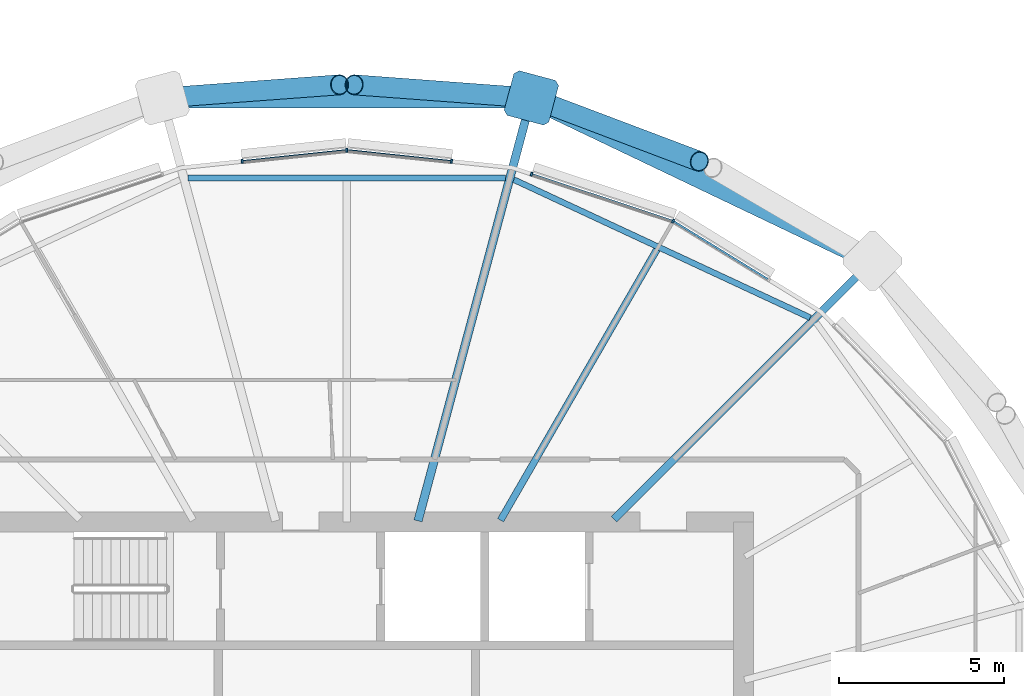
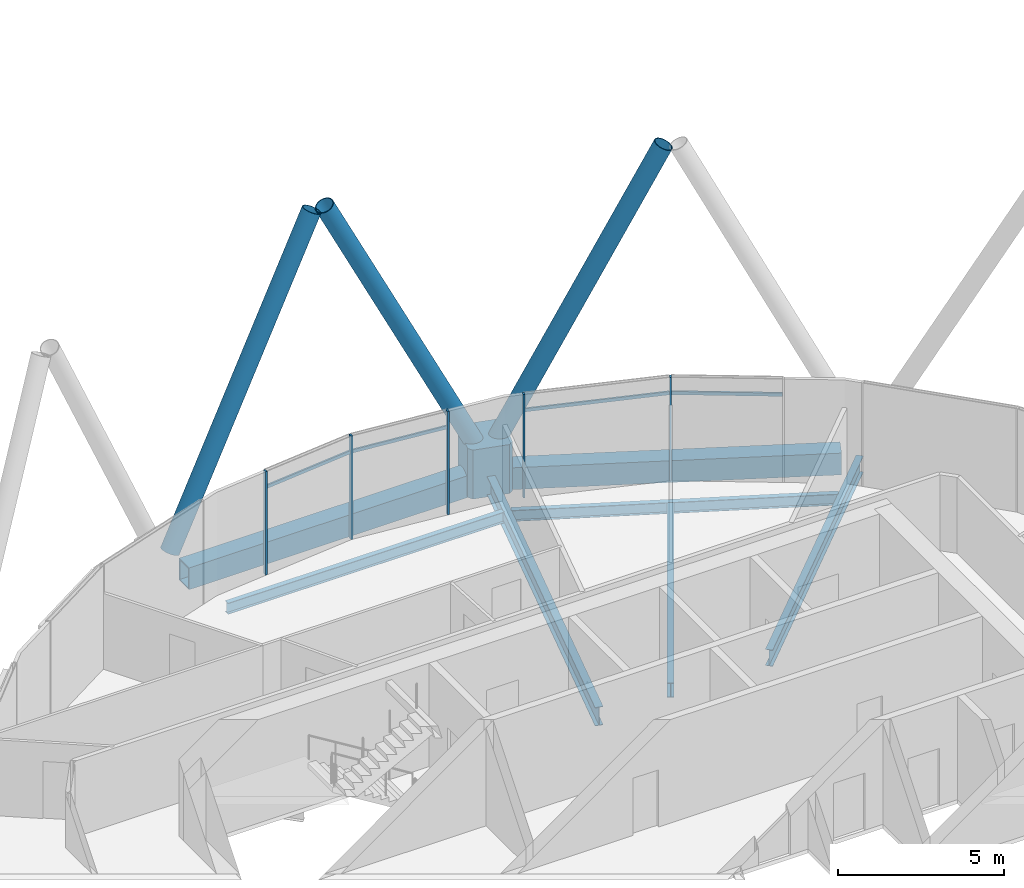
# One storey, part 11 of 36: 13 members, 7 beams, 1 element without a shape of its own.
"""IFC4 building model written with IfcOpenShell, lengths in metres."""

from ifc_helpers import new_model, si_unit, direction, frame, origin, origin_2d, place, context, subcontext, project, spatial, polyline, rectangle, hollow_rectangle, hollow_circle, i_section, outline, extrude, material, material_profile, profile_set, type_object, element, aggregate, save


model = new_model("IFC4")

# Units and contexts
model_context = context("Model", 3, precision=1e-05, world=origin(), true_north=direction((0.0, 1.0)))
body_context = subcontext(model_context, "Body", "Model", "MODEL_VIEW")
ifc_project = project(units=[si_unit("LENGTHUNIT", "METRE"), si_unit("AREAUNIT", "SQUARE_METRE"), si_unit("VOLUMEUNIT", "CUBIC_METRE"), si_unit("PLANEANGLEUNIT", "RADIAN"), si_unit("MASSUNIT", "GRAM", prefix="KILO")], contexts=[model_context])

# Site, building, storey
site_placement = place(None, origin())
site = spatial("IfcSite", under=ifc_project, at=site_placement, CompositionType="ELEMENT")
building_placement = place(site_placement, origin())
building = spatial("IfcBuilding", under=site, at=building_placement, Name="Rimbun Link Towers", CompositionType="ELEMENT")
storey_placement = place(building_placement, frame((0.0, 0.0, 193.10009765625)))
storey = spatial("IfcBuildingStorey", under=building, at=storey_placement, Name="L47", CompositionType="ELEMENT", Elevation=193.10009765625)

# Curtain wall, members
ifc_material_1 = material(Name="Aluminium 6063-T6 and low-iron glass", Category="aluminium")
curtain_wall_type = type_object("IfcCurtainWallType", Name="CW1-Z3 unitised vision wall (zone 3)", PredefinedType="NOTDEFINED", material=ifc_material_1)
curtain_wall_placement = place(storey_placement, origin())
curtain_wall = element("IfcCurtainWall", 1, at=curtain_wall_placement, inside=storey, type_object=curtain_wall_type, Name="CW1 L47 T1", PredefinedType="NOTDEFINED")
ifc_material_2 = material(Name="Aluminium 6063-T6", Category="aluminium")
ifc_material_profile_1 = material_profile(ifc_material_2, rectangle(XDim=0.1201171875, YDim=0.06005859375, at=origin_2d()), Name="MULLION 60X120")
ifc_profile_set_1 = profile_set([ifc_material_profile_1], Name="Aluminium 6063-T6")
member_type_1 = type_object("IfcMemberType", Name="CW1 mullion 60X120", PredefinedType="MULLION", material=ifc_profile_set_1)
member_1_placement = place(storey_placement, frame((-21.881103515625, 17.10400390625, 0.0), z_axis=(0.0, 0.0, 1.0), x_axis=(0.421694621362, 0.906737914899, 0.0)))
member_1 = element("IfcMember", 2, at=member_1_placement, type_object=member_type_1, Name="CW1 mullion", PredefinedType="MULLION", context=body_context, shape_type="SweptSolid", body=[
    extrude(rectangle(XDim=0.1201171875, YDim=0.06005859375, at=origin_2d()), origin(), (0.0, 0.0, 1.0), 3.7998046875),
])
member_2_placement = place(storey_placement, frame((-26.162841796875, 18.5234375, 0.0), z_axis=(0.0, 0.0, 1.0), x_axis=(0.314557993327, 0.949238257149, 0.0)))
member_2 = element("IfcMember", 3, at=member_2_placement, type_object=member_type_1, Name="CW1 mullion", PredefinedType="MULLION", context=body_context, shape_type="SweptSolid", body=[
    extrude(rectangle(XDim=0.1201171875, YDim=0.06005859375, at=origin_2d()), origin(), (0.0, 0.0, 1.0), 3.7998046875),
])
member_3_placement = place(storey_placement, frame((-31.75, 19.24169921875, 0.0), z_axis=(0.0, 0.0, 1.0), x_axis=(0.0, 1.0, 0.0)))
member_3 = element("IfcMember", 4, at=member_3_placement, type_object=member_type_1, Name="CW1 mullion", PredefinedType="MULLION", context=body_context, shape_type="SweptSolid", body=[
    extrude(rectangle(XDim=0.1201171875, YDim=0.06005859375, at=origin_2d()), origin(), (0.0, 0.0, 1.0), 3.7998046875),
])
member_4_placement = place(storey_placement, frame((-28.584716796875, 18.90869140625, 0.0), z_axis=(0.0, 0.0, 1.0), x_axis=(0.104747958219, 0.994498801029, 0.0)))
member_4 = element("IfcMember", 5, at=member_4_placement, type_object=member_type_1, Name="CW1 mullion", PredefinedType="MULLION", context=body_context, shape_type="SweptSolid", body=[
    extrude(rectangle(XDim=0.1201171875, YDim=0.06005859375, at=origin_2d()), origin(), (0.0, 0.0, 1.0), 3.7998046875),
])
member_5_placement = place(storey_placement, frame((-34.915283203125, 18.90869140625, 0.0), z_axis=(0.0, 0.0, 1.0), x_axis=(-0.104747958219, 0.994498801029, 0.0)))
member_5 = element("IfcMember", 6, at=member_5_placement, type_object=member_type_1, Name="CW1 mullion", PredefinedType="MULLION", context=body_context, shape_type="SweptSolid", body=[
    extrude(rectangle(XDim=0.1201171875, YDim=0.06005859375, at=origin_2d()), origin(), (0.0, 0.0, 1.0), 3.7998046875),
])
ifc_material_3 = material(Name="Aluminium 6063-T6", Category="aluminium")
ifc_material_profile_2 = material_profile(ifc_material_3, rectangle(XDim=0.06005859375, YDim=0.1201171875, at=origin_2d()), Name="TRANSOM 60X120")
ifc_profile_set_2 = profile_set([ifc_material_profile_2], Name="Aluminium 6063-T6")
member_type_2 = type_object("IfcMemberType", Name="CW1 transom 60X120", PredefinedType="USERDEFINED", material=ifc_profile_set_2)
member_6_placement = place(storey_placement, frame((-21.8505859375, 17.08349609375, 3.199951171875), z_axis=(0.852194171963, -0.523225661901, 0.0), x_axis=(0.523225661901, 0.852194171963, 0.0)))
member_6 = element("IfcMember", 7, at=member_6_placement, type_object=member_type_2, Name="CW1 transom", ObjectType="TRANSOM", PredefinedType="USERDEFINED", context=body_context, shape_type="SweptSolid", body=[
    extrude(rectangle(XDim=0.06005859375, YDim=0.1201171875, at=origin_2d()), origin(), (0.0, 0.0, 1.0), 3.329345703125),
])
member_7_placement = place(storey_placement, frame((-26.135009765625, 18.511962890625, 3.199951171875), z_axis=(0.949247657744, -0.314529623833, 0.0), x_axis=(0.314529623833, 0.949247657744, 0.0)))
member_7 = element("IfcMember", 8, at=member_7_placement, type_object=member_type_2, Name="CW1 transom", ObjectType="TRANSOM", PredefinedType="USERDEFINED", context=body_context, shape_type="SweptSolid", body=[
    extrude(rectangle(XDim=0.06005859375, YDim=0.1201171875, at=origin_2d()), origin(), (0.0, 0.0, 1.0), 4.44384765625),
])
member_8_placement = place(storey_placement, frame((-31.714111328125, 19.236328125, 3.199951171875), z_axis=(0.994499011805, -0.104745957049, 0.0), x_axis=(0.104745957049, 0.994499011805, 0.0)))
member_8 = element("IfcMember", 9, at=member_8_placement, type_object=member_type_2, Name="CW1 transom", ObjectType="TRANSOM", PredefinedType="USERDEFINED", context=body_context, shape_type="SweptSolid", body=[
    extrude(rectangle(XDim=0.06005859375, YDim=0.1201171875, at=origin_2d()), origin(), (0.0, 0.0, 1.0), 3.1162109375),
])
member_9_placement = place(storey_placement, frame((-34.885009765625, 18.909912109375, 3.199951171875), z_axis=(0.994499011805, 0.104745957049, 0.0), x_axis=(-0.104745957049, 0.994499011805, 0.0)))
member_9 = element("IfcMember", 10, at=member_9_placement, type_object=member_type_2, Name="CW1 transom", ObjectType="TRANSOM", PredefinedType="USERDEFINED", context=body_context, shape_type="SweptSolid", body=[
    extrude(rectangle(XDim=0.06005859375, YDim=0.1201171875, at=origin_2d()), origin(), (0.0, 0.0, 1.0), 3.1162109375),
])
aggregate(curtain_wall, [member_1, member_2, member_3, member_4, member_5, member_6, member_7, member_8, member_9])

# Members
ifc_material_4 = material(Name="Steel S355J2H", Category="steel")
ifc_material_profile_3 = material_profile(ifc_material_4, hollow_circle(Radius=0.3046875, WallThickness=0.02490234375, at=origin_2d()), Name="Diagrid diagonal CHS 610x25")
ifc_profile_set_3 = profile_set([ifc_material_profile_3], Name="Steel S355J2H")
member_type_3 = type_object("IfcMemberType", Name="Diagrid diagonal CHS 610x25", PredefinedType="BRACE", material=ifc_profile_set_3)
member_10_placement = place(storey_placement, frame((-25.961181640625, 20.75, 0.44775390625), z_axis=(0.415751650565, -0.157031197344, 0.895819048756), x_axis=(0.353340436783, 0.935494807967, 0.0)))
element("IfcMember", 11, at=member_10_placement, inside=storey, type_object=member_type_3, Name="Diagrid diagonal T1 L47-L50 05a", PredefinedType="BRACE", context=body_context, shape_type="SweptSolid", body=[
    extrude(hollow_circle(Radius=0.3046875, WallThickness=0.02490234375, at=origin_2d()), origin(), (0.0, 0.0, 1.0), 11.725830078125),
])
for number, where, z_axis, x_axis, name in (
    (12, (-26.388671875, 20.844970703125, 0.44873046875), (-0.439464733529, 0.032594677767, 0.897668276684), (-0.073965874995, -0.997260772986, 0.0), "Diagrid diagonal T1 L47-L50 05b"),
    (13, (-37.111328125, 20.844970703125, 0.44873046875), (0.439464733529, 0.032594677767, 0.897668276684), (-0.073965874995, 0.997260772986, 0.0), "Diagrid diagonal T1 L47-L50 07a"),
):
    element("IfcMember", number, at=place(storey_placement, frame(where, z_axis=z_axis, x_axis=x_axis)), inside=storey, type_object=member_type_3, Name=name, PredefinedType="BRACE", context=body_context, shape_type="SweptSolid", body=[
        extrude(hollow_circle(Radius=0.3046875, WallThickness=0.02490234375, at=origin_2d()), origin(), (0.0, 0.0, 1.0), 11.69970703125),
    ])
ifc_material_5 = material(Name="Cast steel G20Mn5+QT, Rp0.2 300 MPa", Category="steel")
ifc_material_profile_4 = material_profile(ifc_material_5, outline(polyline([(0.699951171875, -0.570068359375), (0.699951171875, 0.570068359375), (0.570068359375, 0.699951171875), (-0.570068359375, 0.699951171875), (-0.699951171875, 0.570068359375), (-0.699951171875, -0.570068359375), (-0.570068359375, -0.699951171875), (0.570068359375, -0.699951171875), (0.699951171875, -0.570068359375)])), Name="NODE 1400x1400")
ifc_profile_set_4 = profile_set([ifc_material_profile_4], Name="Cast steel G20Mn5+QT, Rp0.2 300 MPa")
member_type_4 = type_object("IfcMemberType", Name="Diagrid node cast 1400", PredefinedType="USERDEFINED", material=ifc_profile_set_4)
member_11_placement = place(storey_placement, frame((-26.1689453125, 20.82861328125, -0.900146484375), z_axis=(0.0, 0.0, 1.0), x_axis=(0.258819045103, 0.965925826289, 0.0)))
element("IfcMember", 14, at=member_11_placement, inside=storey, type_object=member_type_4, Name="Diagrid node L47 05", ObjectType="Diagrid node", PredefinedType="USERDEFINED", context=body_context, shape_type="SweptSolid", body=[
    extrude(outline(polyline([(0.699951171875, -0.570068359375), (0.699951171875, 0.570068359375), (0.570068359375, 0.699951171875), (-0.570068359375, 0.699951171875), (-0.699951171875, 0.570068359375), (-0.699951171875, -0.570068359375), (-0.570068359375, -0.699951171875), (0.570068359375, -0.699951171875), (0.699951171875, -0.570068359375)])), origin(), (0.0, 0.0, 1.0), 1.800048828125),
])

# Beams
ifc_material_6 = material(Name="Steel S355J2", Category="steel")
ifc_material_profile_5 = material_profile(ifc_material_6, hollow_rectangle(XDim=0.60009765625, YDim=0.800048828125, WallThickness=0.0400390625, at=origin_2d()), Name="Exoskeleton ring girder BOX 600x800x40")
ifc_profile_set_5 = profile_set([ifc_material_profile_5], Name="Steel S355J2")
beam_type_1 = type_object("IfcBeamType", Name="Exoskeleton ring girder BOX 600x800x40", PredefinedType="BEAM", material=ifc_profile_set_5)
beam_1_placement = place(storey_placement, frame((-16.482421875, 16.200927734375, -0.56005859375), z_axis=(-0.902316117844, 0.431074962714, 0.0), x_axis=(-0.431074962714, -0.902316117844, 0.0)))
element("IfcBeam", 15, at=beam_1_placement, inside=storey, type_object=beam_type_1, Name="Exoskeleton ring girder L47 01", PredefinedType="BEAM", context=body_context, shape_type="SweptSolid", body=[
    extrude(hollow_rectangle(XDim=0.60009765625, YDim=0.800048828125, WallThickness=0.0400390625, at=origin_2d()), origin(), (0.0, 0.0, 1.0), 10.03515625),
])
beam_2_placement = place(storey_placement, frame((-26.868896484375, 20.82861328125, -0.56005859375), z_axis=(-1.0, 0.0, 0.0), x_axis=(0.0, -1.0, 0.0)))
element("IfcBeam", 16, at=beam_2_placement, inside=storey, type_object=beam_type_1, Name="Exoskeleton ring girder L47 02", PredefinedType="BEAM", context=body_context, shape_type="SweptSolid", body=[
    extrude(hollow_rectangle(XDim=0.60009765625, YDim=0.800048828125, WallThickness=0.0400390625, at=origin_2d()), origin(), (0.0, 0.0, 1.0), 9.76220703125),
])
ifc_material_7 = material(Name="Steel S355J2", Category="steel")
ifc_material_profile_6 = material_profile(ifc_material_7, i_section(OverallWidth=0.177978515625, OverallDepth=0.406494140625, WebThickness=0.0078125, FlangeThickness=0.0126953125, at=origin_2d()), Name="UB 406x178x60")
ifc_profile_set_6 = profile_set([ifc_material_profile_6], Name="Steel S355J2")
beam_type_2 = type_object("IfcBeamType", Name="UB 406x178x60", PredefinedType="BEAM", material=ifc_profile_set_6)
beam_3_placement = place(storey_placement, frame((-17.73388671875, 14.17822265625, -0.353271484375), z_axis=(-0.906418841359, 0.422380023238, 0.0), x_axis=(-0.422380023238, -0.906418841359, 0.0)))
element("IfcBeam", 17, at=beam_3_placement, inside=storey, type_object=beam_type_2, Name="Edge beam T1 L47 03-05", PredefinedType="BEAM", context=body_context, shape_type="SweptSolid", body=[
    extrude(i_section(OverallWidth=0.177978515625, OverallDepth=0.406494140625, WebThickness=0.0078125, FlangeThickness=0.0126953125, at=origin_2d()), origin(), (0.0, 0.0, 1.0), 9.890869140625),
])
beam_4_placement = place(storey_placement, frame((-26.94921875, 18.41064453125, -0.353271484375), z_axis=(-1.0, 0.0, 0.0), x_axis=(0.0, -1.0, 0.0)))
element("IfcBeam", 18, at=beam_4_placement, inside=storey, type_object=beam_type_2, Name="Edge beam T1 L47 05-07", PredefinedType="BEAM", context=body_context, shape_type="SweptSolid", body=[
    extrude(i_section(OverallWidth=0.177978515625, OverallDepth=0.406494140625, WebThickness=0.0078125, FlangeThickness=0.0126953125, at=origin_2d()), origin(), (0.0, 0.0, 1.0), 9.6015625),
])
ifc_material_8 = material(Name="Steel S355J2", Category="steel")
ifc_material_profile_7 = material_profile(ifc_material_8, i_section(OverallWidth=0.209228515625, OverallDepth=0.533203125, WebThickness=0.010009765625, FlangeThickness=0.015625, at=origin_2d()), Name="UB 533x210x92")
ifc_profile_set_7 = profile_set([ifc_material_profile_7], Name="Steel S355J2")
beam_type_3 = type_object("IfcBeamType", Name="UB 533x210x92", PredefinedType="BEAM", material=ifc_profile_set_7)
beam_5_placement = place(storey_placement, frame((-27.1005859375, 8.05322265625, -0.416748046875), z_axis=(0.500007824733, 0.866020886126, 0.0), x_axis=(-0.866020886126, 0.500007824733, 0.0)))
element("IfcBeam", 19, at=beam_5_placement, inside=storey, type_object=beam_type_3, Name="Radial beam T1 L47 04", PredefinedType="BEAM", context=body_context, shape_type="SweptSolid", body=[
    extrude(i_section(OverallWidth=0.209228515625, OverallDepth=0.533203125, WebThickness=0.010009765625, FlangeThickness=0.015625, at=origin_2d()), origin(), (0.0, 0.0, 1.0), 9.454345703125),
])
ifc_material_9 = material(Name="Steel S355J2", Category="steel")
ifc_material_profile_8 = material_profile(ifc_material_9, i_section(OverallWidth=0.2275390625, OverallDepth=0.6025390625, WebThickness=0.010498046875, FlangeThickness=0.014892578125, at=origin_2d()), Name="UB 610x229x101")
ifc_profile_set_8 = profile_set([ifc_material_profile_8], Name="Steel S355J2")
beam_type_4 = type_object("IfcBeamType", Name="UB 610x229x101", PredefinedType="BEAM", material=ifc_profile_set_8)
beam_6_placement = place(storey_placement, frame((-23.668701171875, 8.081298828125, -0.451416015625), z_axis=(0.707106781187, 0.707106781187, 0.0), x_axis=(-0.707106781187, 0.707106781187, 0.0)))
element("IfcBeam", 20, at=beam_6_placement, inside=storey, type_object=beam_type_4, Name="Radial beam T1 L47 03", PredefinedType="BEAM", context=body_context, shape_type="SweptSolid", body=[
    extrude(i_section(OverallWidth=0.2275390625, OverallDepth=0.6025390625, WebThickness=0.010498046875, FlangeThickness=0.014892578125, at=origin_2d()), origin(), (0.0, 0.0, 1.0), 10.55615234375),
])
ifc_material_10 = material(Name="Steel S355J2", Category="steel")
ifc_material_profile_9 = material_profile(ifc_material_10, i_section(OverallWidth=0.253662109375, OverallDepth=0.68359375, WebThickness=0.012451171875, FlangeThickness=0.01904296875, at=origin_2d()), Name="UB 686x254x140")
ifc_profile_set_9 = profile_set([ifc_material_profile_9], Name="Steel S355J2")
beam_type_5 = type_object("IfcBeamType", Name="UB 686x254x140", PredefinedType="BEAM", material=ifc_profile_set_9)
beam_7_placement = place(storey_placement, frame((-29.597412109375, 8.03369140625, -0.491943359375), z_axis=(0.258824803498, 0.965924283313, 0.0), x_axis=(-0.965924283313, 0.258824803498, 0.0)))
element("IfcBeam", 21, at=beam_7_placement, inside=storey, type_object=beam_type_5, Name="Radial beam T1 L47 05", PredefinedType="BEAM", context=body_context, shape_type="SweptSolid", body=[
    extrude(i_section(OverallWidth=0.253662109375, OverallDepth=0.68359375, WebThickness=0.012451171875, FlangeThickness=0.01904296875, at=origin_2d()), origin(), (0.0, 0.0, 1.0), 12.746337890625),
])

save(model, "model.ifc")
